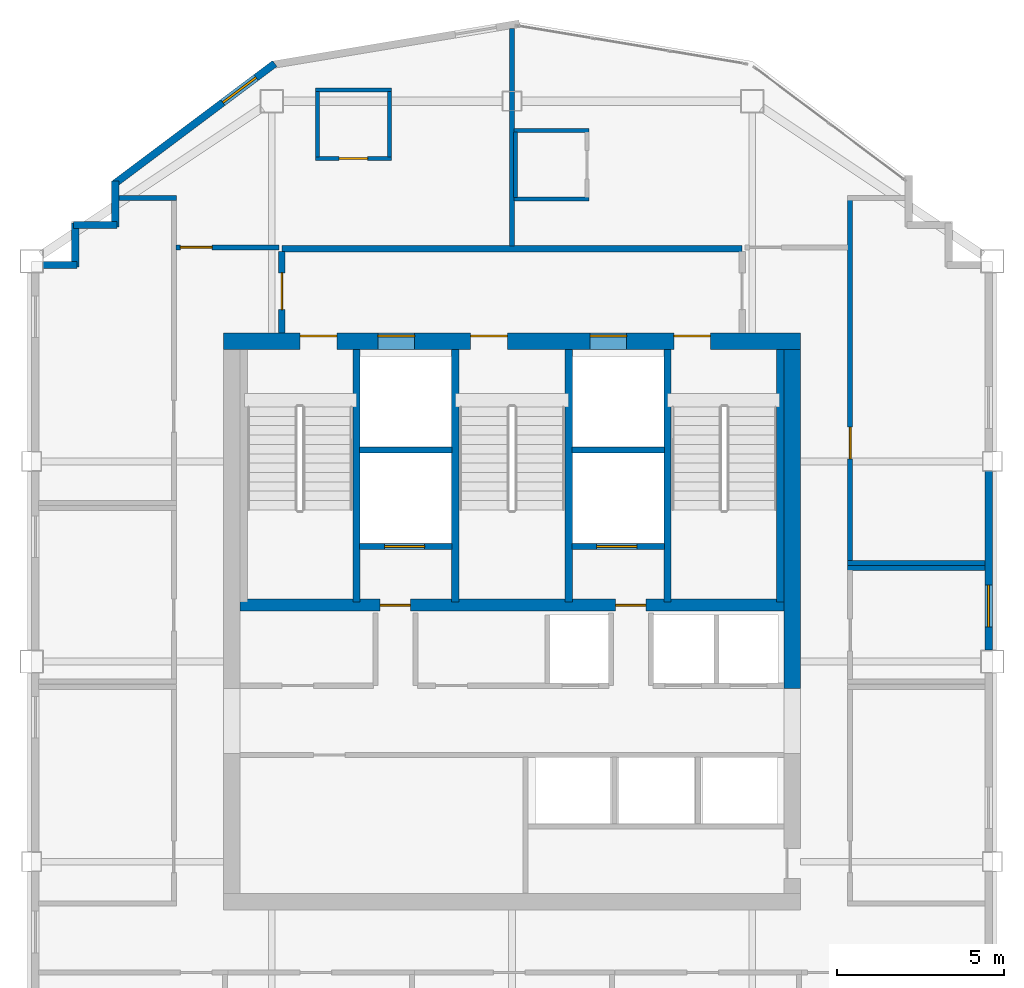
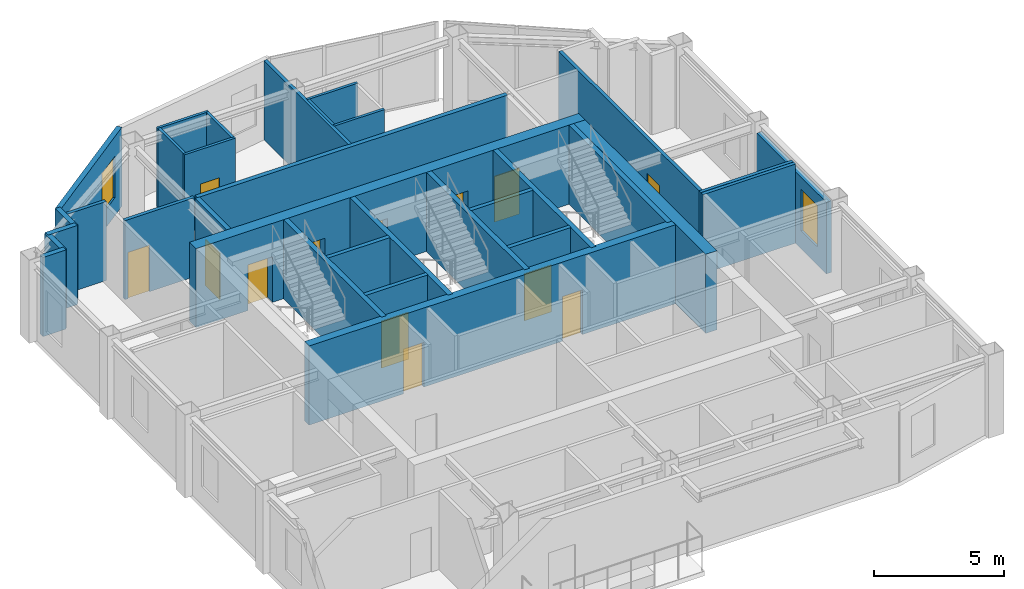
# One storey, part 6 of 8: 33 walls, 13 doors, 2 windows, 15 openings.
"""IFC4 building model written with IfcOpenShell, lengths in metres."""

from ifc_helpers import new_model, si_unit, direction, frame, frame_2d, origin, place, context, subcontext, project, spatial, rectangle, extrude, material, layer, layer_set, type_object, element, fill, save


model = new_model("IFC4")

# Units and contexts
model_context = context("Model", 3, precision=1e-05, world=origin(), true_north=direction((0.0, 1.0)))
body_context = subcontext(model_context, "Body", "Model", "MODEL_VIEW")
ifc_project = project(units=[si_unit("LENGTHUNIT", "METRE"), si_unit("AREAUNIT", "SQUARE_METRE"), si_unit("VOLUMEUNIT", "CUBIC_METRE"), si_unit("PLANEANGLEUNIT", "RADIAN"), si_unit("MASSUNIT", "GRAM", prefix="KILO")], contexts=[model_context])

# Site, building, storey
site_placement = place(None, origin())
site = spatial("IfcSite", under=ifc_project, at=site_placement, CompositionType="ELEMENT")
building_placement = place(site_placement, origin())
building = spatial("IfcBuilding", under=site, at=building_placement, Name="Haolan Belvedere Tower", CompositionType="ELEMENT")
storey_placement = place(building_placement, frame((0.0, 0.0, 301.699951171875)))
storey = spatial("IfcBuildingStorey", under=building, at=storey_placement, Name="L76", CompositionType="ELEMENT", Elevation=301.699951171875)

# Wall, openings, doors
ifc_material_1 = material(Name="Concrete C50/60", Category="concrete")
ifc_layer_1 = layer(ifc_material_1, 0.5, Name="Concrete C50/60")
ifc_layer_set_1 = layer_set([ifc_layer_1], Name="Concrete C50/60")
wall_type_1 = type_object("IfcWallType", Name="WL-CORE-500", PredefinedType="SHEAR", material=ifc_layer_set_1)
wall_1_placement = place(storey_placement, frame((29.75, 43.199951171875, 0.0), z_axis=(0.0, 0.0, 1.0), x_axis=(1.0, 0.0, 0.0)))
wall_1 = element("IfcWall", 1, at=wall_1_placement, inside=storey, type_object=wall_type_1, Name="L76 central core north shear wall", PredefinedType="SHEAR", context=body_context, shape_type="SweptSolid", body=[
    extrude(rectangle(XDim=17.300048828125, YDim=0.5, at=frame_2d((8.64990234375, 0.0))), origin(), (0.0, 0.0, 1.0), 3.719970703125),
])
opening_1_placement = place(wall_1_placement, frame((2.300048828125, 0.0, 0.0)))
opening_1 = element("IfcOpeningElement", 2, at=opening_1_placement, cuts=wall_1, Name="Opening FD-03", PredefinedType="OPENING", context=body_context, shape_type="SweptSolid", body=[
    extrude(rectangle(XDim=1.10009765625, YDim=2.14990234375, at=frame_2d((0.550048828125, 1.074951171875))), frame((0.0, 0.260009765625, 0.0), z_axis=(0.0, -1.0, 0.0), x_axis=(1.0, 0.0, 0.0)), (0.0, 0.0, 1.0), 0.52001953125),
])
opening_2_placement = place(wall_1_placement, frame((7.409912109375, 0.0, 0.0)))
opening_2 = element("IfcOpeningElement", 3, at=opening_2_placement, cuts=wall_1, Name="Opening FD-03", PredefinedType="OPENING", context=body_context, shape_type="SweptSolid", body=[
    extrude(rectangle(XDim=1.10009765625, YDim=2.14990234375, at=frame_2d((0.550048828125, 1.074951171875))), frame((0.0, 0.260009765625, 0.0), z_axis=(0.0, -1.0, 0.0), x_axis=(1.0, 0.0, 0.0)), (0.0, 0.0, 1.0), 0.52001953125),
])
opening_3_placement = place(wall_1_placement, frame((13.5, 0.0, 0.0)))
opening_3 = element("IfcOpeningElement", 4, at=opening_3_placement, cuts=wall_1, Name="Opening FD-03", PredefinedType="OPENING", context=body_context, shape_type="SweptSolid", body=[
    extrude(rectangle(XDim=1.10009765625, YDim=2.14990234375, at=frame_2d((0.550048828125, 1.074951171875))), frame((0.0, 0.260009765625, 0.0), z_axis=(0.0, -1.0, 0.0), x_axis=(1.0, 0.0, 0.0)), (0.0, 0.0, 1.0), 0.52001953125),
])
opening_4_placement = place(wall_1_placement, frame((4.6298828125, 0.0, 0.0)))
opening_4 = element("IfcOpeningElement", 5, at=opening_4_placement, cuts=wall_1, Name="Opening LD-01", PredefinedType="OPENING", context=body_context, shape_type="SweptSolid", body=[
    extrude(rectangle(XDim=1.10009765625, YDim=2.199951171875, at=frame_2d((0.550048828125, 1.10009765625))), frame((0.0, 0.260009765625, 0.0), z_axis=(0.0, -1.0, 0.0), x_axis=(1.0, 0.0, 0.0)), (0.0, 0.0, 1.0), 0.52001953125),
])
opening_5_placement = place(wall_1_placement, frame((10.989990234375, 0.0, 0.0)))
opening_5 = element("IfcOpeningElement", 6, at=opening_5_placement, cuts=wall_1, Name="Opening LD-01", PredefinedType="OPENING", context=body_context, shape_type="SweptSolid", body=[
    extrude(rectangle(XDim=1.10009765625, YDim=2.199951171875, at=frame_2d((0.550048828125, 1.10009765625))), frame((0.0, 0.260009765625, 0.0), z_axis=(0.0, -1.0, 0.0), x_axis=(1.0, 0.0, 0.0)), (0.0, 0.0, 1.0), 0.52001953125),
])
ifc_material_2 = material(Name="Galvanised fire-rated steel", Category="steel")
door_type_1 = type_object("IfcDoorType", Name="DR-FD90-1100", OperationType="NOTDEFINED", PredefinedType="DOOR", material=ifc_material_2)
door_1_placement = place(opening_1_placement, origin())
door_1 = element("IfcDoor", 7, at=door_1_placement, inside=storey, type_object=door_type_1, Name="L76 door CD-L76-ST1", OperationType="SINGLE_SWING_LEFT", OverallHeight=2.14990234375, OverallWidth=1.10009765625, PredefinedType="DOOR", context=body_context, shape_type="SweptSolid", body=[
    extrude(rectangle(XDim=1.10009765625, YDim=2.14990234375, at=frame_2d((0.550048828125, 1.074951171875))), frame((0.0, 0.18505859375, 0.0), z_axis=(0.0, -1.0, 0.0), x_axis=(1.0, 0.0, 0.0)), (0.0, 0.0, 1.0), 0.050048828125),
])
fill(opening_1, door_1)
door_2_placement = place(opening_2_placement, origin())
door_2 = element("IfcDoor", 8, at=door_2_placement, inside=storey, type_object=door_type_1, Name="L76 door CD-L76-ST3", OperationType="SINGLE_SWING_LEFT", OverallHeight=2.14990234375, OverallWidth=1.10009765625, PredefinedType="DOOR", context=body_context, shape_type="SweptSolid", body=[
    extrude(rectangle(XDim=1.10009765625, YDim=2.14990234375, at=frame_2d((0.550048828125, 1.074951171875))), frame((0.0, 0.18505859375, 0.0), z_axis=(0.0, -1.0, 0.0), x_axis=(1.0, 0.0, 0.0)), (0.0, 0.0, 1.0), 0.050048828125),
])
fill(opening_2, door_2)
door_3_placement = place(opening_3_placement, origin())
door_3 = element("IfcDoor", 9, at=door_3_placement, inside=storey, type_object=door_type_1, Name="L76 door CD-L76-ST2", OperationType="SINGLE_SWING_RIGHT", OverallHeight=2.14990234375, OverallWidth=1.10009765625, PredefinedType="DOOR", context=body_context, shape_type="SweptSolid", body=[
    extrude(rectangle(XDim=1.10009765625, YDim=2.14990234375, at=frame_2d((0.550048828125, 1.074951171875))), frame((0.0, 0.18505859375, 0.0), z_axis=(0.0, -1.0, 0.0), x_axis=(1.0, 0.0, 0.0)), (0.0, 0.0, 1.0), 0.050048828125),
])
fill(opening_3, door_3)
ifc_material_3 = material(Name="Brushed champagne stainless steel 316L", Category="steel")
door_type_2 = type_object("IfcDoorType", Name="DR-LIFT-1100", OperationType="SLIDING_TO_LEFT", PredefinedType="DOOR", material=ifc_material_3)
door_4_placement = place(opening_4_placement, origin())
door_4 = element("IfcDoor", 10, at=door_4_placement, inside=storey, type_object=door_type_2, Name="L76 door LD-L76-FF1", OperationType="SLIDING_TO_LEFT", OverallHeight=2.199951171875, OverallWidth=1.10009765625, PredefinedType="DOOR", context=body_context, shape_type="SweptSolid", body=[
    extrude(rectangle(XDim=1.10009765625, YDim=2.199951171875, at=frame_2d((0.550048828125, 1.10009765625))), frame((0.0, 0.18505859375, 0.0), z_axis=(0.0, -1.0, 0.0), x_axis=(1.0, 0.0, 0.0)), (0.0, 0.0, 1.0), 0.050048828125),
])
fill(opening_4, door_4)
door_5_placement = place(opening_5_placement, origin())
door_5 = element("IfcDoor", 11, at=door_5_placement, inside=storey, type_object=door_type_2, Name="L76 door LD-L76-FF2", OperationType="SLIDING_TO_LEFT", OverallHeight=2.199951171875, OverallWidth=1.10009765625, PredefinedType="DOOR", context=body_context, shape_type="SweptSolid", body=[
    extrude(rectangle(XDim=1.10009765625, YDim=2.199951171875, at=frame_2d((0.550048828125, 1.10009765625))), frame((0.0, 0.18505859375, 0.0), z_axis=(0.0, -1.0, 0.0), x_axis=(1.0, 0.0, 0.0)), (0.0, 0.0, 1.0), 0.050048828125),
])
fill(opening_5, door_5)

# Wall
wall_2_placement = place(storey_placement, frame((46.800048828125, 32.800048828125, 0.0), z_axis=(0.0, 0.0, 1.0), x_axis=(0.0, 1.0, 0.0)))
element("IfcWall", 12, at=wall_2_placement, inside=storey, type_object=wall_type_1, Name="L76 central core shear wall EN", PredefinedType="SHEAR", context=body_context, shape_type="SweptSolid", body=[
    extrude(rectangle(XDim=10.14990234375, YDim=0.5, at=frame_2d((5.074951171875, 0.0))), origin(), (0.0, 0.0, 1.0), 3.719970703125),
])

# Wall, opening, window
ifc_material_4 = material(Name="Precast concrete C40/50", Category="concrete")
ifc_layer_2 = layer(ifc_material_4, 0.219970703125, Name="Precast concrete C40/50")
ifc_layer_set_2 = layer_set([ifc_layer_2], Name="Precast concrete C40/50")
wall_type_2 = type_object("IfcWallType", Name="WL-EXT-220", PredefinedType="SOLIDWALL", material=ifc_layer_set_2)
wall_3_placement = place(storey_placement, frame((52.68994140625, 33.94189453125, 0.0), z_axis=(0.0, 0.0, 1.0), x_axis=(0.0, 1.0, 0.0)))
wall_3 = element("IfcWall", 13, at=wall_3_placement, inside=storey, type_object=wall_type_2, Name="L76 pale-metal exterior spandrel wall 3.3", PredefinedType="SOLIDWALL", context=body_context, shape_type="SweptSolid", body=[
    extrude(rectangle(XDim=5.3662109375, YDim=0.219970703125, at=frame_2d((2.68310546875, 0.0))), origin(), (0.0, 0.0, 1.0), 3.364990234375),
])
opening_6_placement = place(wall_3_placement, frame((0.699951171875, 0.0, 0.85009765625)))
opening_6 = element("IfcOpeningElement", 14, at=opening_6_placement, cuts=wall_3, Name="Opening W-04", PredefinedType="OPENING", context=body_context, shape_type="SweptSolid", body=[
    extrude(rectangle(XDim=1.25, YDim=1.949951171875, at=frame_2d((0.625, 0.97509765625))), frame((0.0, 0.119873046875, 0.0), z_axis=(0.0, -1.0, 0.0), x_axis=(1.0, 0.0, 0.0)), (0.0, 0.0, 1.0), 0.239990234375),
])
ifc_material_5 = material(Name="Anodised aluminium 6063-T6 and Low-E glass", Category="aluminium")
window_type = type_object("IfcWindowType", Name="WN-DECO-Z4", PartitioningType="SINGLE_PANEL", PredefinedType="WINDOW", material=ifc_material_5)
window_1_placement = place(opening_6_placement, origin())
window_1 = element("IfcWindow", 15, at=window_1_placement, inside=storey, type_object=window_type, Name="L76 Art Deco chevron window 1", OverallHeight=1.949951171875, OverallWidth=1.25, PartitioningType="SINGLE_PANEL", PredefinedType="WINDOW", context=body_context, shape_type="SweptSolid", body=[
    extrude(rectangle(XDim=1.25, YDim=1.949951171875, at=frame_2d((0.625, 0.97509765625))), frame((0.0, 0.030029296875, 0.0), z_axis=(0.0, -1.0, 0.0), x_axis=(1.0, 0.0, 0.0)), (0.0, 0.0, 1.0), 0.06005859375),
])
fill(opening_6, window_1)

wall_4_placement = place(storey_placement, frame((31.28857421875, 51.52880859375, 0.0), z_axis=(0.0, 0.0, 1.0), x_axis=(-0.800014580093, -0.599980559383, 0.0)))
wall_4 = element("IfcWall", 16, at=wall_4_placement, inside=storey, type_object=wall_type_2, Name="L76 pale-metal exterior spandrel wall 11.1", PredefinedType="SOLIDWALL", context=body_context, shape_type="SweptSolid", body=[
    extrude(rectangle(XDim=6.028076171875, YDim=0.219970703125, at=frame_2d((3.01416015625, 0.0))), origin(), (0.0, 0.0, 1.0), 3.719970703125),
])
opening_7_placement = place(wall_4_placement, frame((0.699951171875, 0.0, 0.85009765625)))
opening_7 = element("IfcOpeningElement", 17, at=opening_7_placement, cuts=wall_4, Name="Opening W-04", PredefinedType="OPENING", context=body_context, shape_type="SweptSolid", body=[
    extrude(rectangle(XDim=1.25, YDim=1.949951171875, at=frame_2d((0.625, 0.97509765625))), frame((0.0, 0.119873046875, 0.0), z_axis=(0.0, -1.0, 0.0), x_axis=(1.0, 0.0, 0.0)), (0.0, 0.0, 1.0), 0.239990234375),
])
window_2_placement = place(opening_7_placement, origin())
window_2 = element("IfcWindow", 18, at=window_2_placement, inside=storey, type_object=window_type, Name="L76 Art Deco chevron window 1", OverallHeight=1.949951171875, OverallWidth=1.25, PartitioningType="SINGLE_PANEL", PredefinedType="WINDOW", context=body_context, shape_type="SweptSolid", body=[
    extrude(rectangle(XDim=1.25, YDim=1.949951171875, at=frame_2d((0.625, 0.97509765625))), frame((0.0, 0.030029296875, 0.0), z_axis=(0.0, -1.0, 0.0), x_axis=(1.0, 0.0, 0.0)), (0.0, 0.0, 1.0), 0.06005859375),
])
fill(opening_7, window_2)

# Walls
wall_5_placement = place(storey_placement, frame((26.510009765625, 48.0, 0.0), z_axis=(0.0, 0.0, 1.0), x_axis=(0.0, -1.0, 0.0)))
element("IfcWall", 19, at=wall_5_placement, inside=storey, type_object=wall_type_2, Name="L76 pale-metal exterior spandrel wall 12.1", PredefinedType="SOLIDWALL", context=body_context, shape_type="SweptSolid", body=[
    extrude(rectangle(XDim=1.364990234375, YDim=0.219970703125, at=frame_2d((0.6826171875, 0.0))), origin(), (0.0, 0.0, 1.0), 3.719970703125),
])
for number, where, z_axis, x_axis, name in (
    (20, (26.56494140625, 46.68994140625, 0.0), (0.0, 0.0, 1.0), (-1.0, 0.0, 0.0), "L76 pale-metal exterior spandrel wall 13.1"),
    (21, (25.31005859375, 46.7451171875, 0.0), (0.0, 0.0, 1.0), (0.0, -1.0, 0.0), "L76 pale-metal exterior spandrel wall 14.1"),
):
    element("IfcWall", number, at=place(storey_placement, frame(where, z_axis=z_axis, x_axis=x_axis)), inside=storey, type_object=wall_type_2, Name=name, PredefinedType="SOLIDWALL", context=body_context, shape_type="SweptSolid", body=[
        extrude(rectangle(XDim=1.31005859375, YDim=0.219970703125, at=frame_2d((0.655029296875, 0.0))), origin(), (0.0, 0.0, 1.0), 3.719970703125),
    ])
wall_6_placement = place(storey_placement, frame((25.364990234375, 45.489990234375, 0.0), z_axis=(0.0, 0.0, 1.0), x_axis=(-1.0, 0.0, 0.0)))
element("IfcWall", 22, at=wall_6_placement, inside=storey, type_object=wall_type_2, Name="L76 pale-metal exterior spandrel wall 15.1", PredefinedType="SOLIDWALL", context=body_context, shape_type="SweptSolid", body=[
    extrude(rectangle(XDim=1.02294921875, YDim=0.219970703125, at=frame_2d((0.511474609375, 0.0))), origin(), (0.0, 0.0, 1.0), 3.719970703125),
])
ifc_material_6 = material(Name="Concrete C40/50", Category="concrete")
ifc_layer_3 = layer(ifc_material_6, 0.199951171875, Name="Concrete C40/50")
ifc_layer_set_3 = layer_set([ifc_layer_3], Name="Concrete C40/50")
wall_type_3 = type_object("IfcWallType", Name="WL-FIRE-200", PredefinedType="SOLIDWALL", material=ifc_layer_set_3)
wall_7_placement = place(storey_placement, frame((31.5, 45.97998046875, 0.0), z_axis=(0.0, 0.0, 1.0), x_axis=(1.0, 0.0, 0.0)))
element("IfcWall", 23, at=wall_7_placement, inside=storey, type_object=wall_type_3, Name="L76 interior partition IW-L76-FFL-N", PredefinedType="SOLIDWALL", context=body_context, shape_type="SweptSolid", body=[
    extrude(rectangle(XDim=13.800048828125, YDim=0.199951171875, at=frame_2d((6.89990234375, 0.0))), origin(), (0.0, 0.0, 1.0), 3.719970703125),
])

# Wall, opening, door
wall_8_placement = place(storey_placement, frame((31.5, 43.449951171875, 0.0), z_axis=(0.0, 0.0, 1.0), x_axis=(0.0, 1.0, 0.0)))
wall_8 = element("IfcWall", 24, at=wall_8_placement, inside=storey, type_object=wall_type_3, Name="L76 interior partition IW-L76-FFL-W", PredefinedType="SOLIDWALL", context=body_context, shape_type="SweptSolid", body=[
    extrude(rectangle(XDim=2.445068359375, YDim=0.199951171875, at=frame_2d((1.22265625, 0.0))), origin(), (0.0, 0.0, 1.0), 3.719970703125),
])
opening_8_placement = place(wall_8_placement, frame((1.800048828125, 0.0, 0.0), z_axis=(0.0, 0.0, 1.0), x_axis=(-1.0, 0.0, 0.0)))
opening_8 = element("IfcOpeningElement", 25, at=opening_8_placement, cuts=wall_8, Name="Opening FD-03", PredefinedType="OPENING", context=body_context, shape_type="SweptSolid", body=[
    extrude(rectangle(XDim=1.10009765625, YDim=2.14990234375, at=frame_2d((0.550048828125, 1.074951171875))), frame((0.0, 0.10986328125, 0.0), z_axis=(0.0, -1.0, 0.0), x_axis=(1.0, 0.0, 0.0)), (0.0, 0.0, 1.0), 0.219970703125),
])
door_6_placement = place(opening_8_placement, origin())
door_6 = element("IfcDoor", 26, at=door_6_placement, inside=storey, type_object=door_type_1, Name="L76 door ID-L76-FFL-DW", OperationType="SINGLE_SWING_LEFT", OverallHeight=2.14990234375, OverallWidth=1.10009765625, PredefinedType="DOOR", context=body_context, shape_type="SweptSolid", body=[
    extrude(rectangle(XDim=1.10009765625, YDim=2.14990234375, at=frame_2d((0.550048828125, 1.074951171875))), frame((0.0, 0.02490234375, 0.0), z_axis=(0.0, -1.0, 0.0), x_axis=(1.0, 0.0, 0.0)), (0.0, 0.0, 1.0), 0.050048828125),
])
fill(opening_8, door_6)

# Walls
ifc_material_7 = material(Name="Double gypsum acoustic stud partition", Category="masonry")
ifc_layer_4 = layer(ifc_material_7, 0.14990234375, Name="Double gypsum acoustic stud partition")
ifc_layer_set_4 = layer_set([ifc_layer_4], Name="Double gypsum acoustic stud partition")
wall_type_4 = type_object("IfcWallType", Name="WL-PART-150", PredefinedType="PARTITIONING", material=ifc_layer_set_4)
wall_9_placement = place(storey_placement, frame((26.612060546875, 47.5, 0.0), z_axis=(0.0, 0.0, 1.0), x_axis=(1.0, 0.0, 0.0)))
element("IfcWall", 27, at=wall_9_placement, inside=storey, type_object=wall_type_4, Name="L76 interior partition IW-L76-VLT-N", PredefinedType="PARTITIONING", context=body_context, shape_type="SweptSolid", body=[
    extrude(rectangle(XDim=1.72802734375, YDim=0.14990234375, at=frame_2d((0.864013671875, 0.0))), origin(), (0.0, 0.0, 1.0), 3.719970703125),
])
for number, where, z_axis, x_axis, name in (
    (28, (48.4599609375, 36.39990234375, 0.0), (0.0, 0.0, 1.0), (1.0, 0.0, 0.0), "L76 interior partition IW-L76-AWC-N"),
    (29, (48.4599609375, 36.56005859375, 0.0), (0.0, 0.0, 1.0), (1.0, 0.0, 0.0), "L76 interior partition IW-L76-SAL-S"),
):
    element("IfcWall", number, at=place(storey_placement, frame(where, z_axis=z_axis, x_axis=x_axis)), inside=storey, type_object=wall_type_4, Name=name, PredefinedType="PARTITIONING", context=body_context, shape_type="SweptSolid", body=[
        extrude(rectangle(XDim=4.1279296875, YDim=0.14990234375, at=frame_2d((2.06396484375, 0.0))), origin(), (0.0, 0.0, 1.0), 3.719970703125),
    ])

# Wall, opening, door
wall_10_placement = place(storey_placement, frame((48.5400390625, 36.6201171875, 0.0), z_axis=(0.0, 0.0, 1.0), x_axis=(0.0, 1.0, 0.0)))
wall_10 = element("IfcWall", 30, at=wall_10_placement, inside=storey, type_object=wall_type_4, Name="L76 interior partition IW-L76-SAL-W", PredefinedType="PARTITIONING", context=body_context, shape_type="SweptSolid", body=[
    extrude(rectangle(XDim=10.81982421875, YDim=0.14990234375, at=frame_2d((5.409912109375, 0.0))), origin(), (0.0, 0.0, 1.0), 3.719970703125),
])
opening_9_placement = place(wall_10_placement, frame((3.06005859375, 0.0, 0.0)))
opening_9 = element("IfcOpeningElement", 31, at=opening_9_placement, cuts=wall_10, Name="Opening ID-03", PredefinedType="OPENING", context=body_context, shape_type="SweptSolid", body=[
    extrude(rectangle(XDim=0.949951171875, YDim=2.1201171875, at=frame_2d((0.47509765625, 1.06005859375))), frame((0.0, 0.0849609375, 0.0), z_axis=(0.0, -1.0, 0.0), x_axis=(1.0, 0.0, 0.0)), (0.0, 0.0, 1.0), 0.169921875),
])
ifc_material_8 = material(Name="Painted solid-core timber", Category="wood")
door_type_3 = type_object("IfcDoorType", Name="DR-INT-950", OperationType="NOTDEFINED", PredefinedType="DOOR", material=ifc_material_8)
door_7_placement = place(opening_9_placement, origin())
door_7 = element("IfcDoor", 32, at=door_7_placement, inside=storey, type_object=door_type_3, Name="L76 door ID-L76-SAL", OperationType="SINGLE_SWING_LEFT", OverallHeight=2.1201171875, OverallWidth=0.949951171875, PredefinedType="DOOR", context=body_context, shape_type="SweptSolid", body=[
    extrude(rectangle(XDim=0.949951171875, YDim=2.1201171875, at=frame_2d((0.47509765625, 1.06005859375))), frame((0.0, 0.02490234375, 0.0), z_axis=(0.0, -1.0, 0.0), x_axis=(1.0, 0.0, 0.0)), (0.0, 0.0, 1.0), 0.050048828125),
])
fill(opening_9, door_7)

wall_11_placement = place(storey_placement, frame((28.320068359375, 46.02001953125, 0.0), z_axis=(0.0, 0.0, 1.0), x_axis=(1.0, 0.0, 0.0)))
wall_11 = element("IfcWall", 33, at=wall_11_placement, inside=storey, type_object=wall_type_4, Name="L76 interior partition IW-L76-KN1-S", PredefinedType="PARTITIONING", context=body_context, shape_type="SweptSolid", body=[
    extrude(rectangle(XDim=3.094970703125, YDim=0.14990234375, at=frame_2d((1.54736328125, 0.0))), origin(), (0.0, 0.0, 1.0), 3.719970703125),
])
opening_10_placement = place(wall_11_placement, frame((0.139892578125, 0.0, 0.0)))
opening_10 = element("IfcOpeningElement", 34, at=opening_10_placement, cuts=wall_11, Name="Opening ID-01", PredefinedType="OPENING", context=body_context, shape_type="SweptSolid", body=[
    extrude(rectangle(XDim=0.949951171875, YDim=2.179931640625, at=frame_2d((0.47509765625, 1.08984375))), frame((0.0, 0.0849609375, 0.0), z_axis=(0.0, -1.0, 0.0), x_axis=(1.0, 0.0, 0.0)), (0.0, 0.0, 1.0), 0.169921875),
])
ifc_material_9 = material(Name="Acoustic walnut veneer fire-rated timber", Category="wood")
door_type_4 = type_object("IfcDoorType", Name="DR-SUITE-950", OperationType="NOTDEFINED", PredefinedType="DOOR", material=ifc_material_9)
door_8_placement = place(opening_10_placement, origin())
door_8 = element("IfcDoor", 35, at=door_8_placement, inside=storey, type_object=door_type_4, Name="L76 door ID-L76-KN1-ENT", OperationType="SINGLE_SWING_LEFT", OverallHeight=2.179931640625, OverallWidth=0.949951171875, PredefinedType="DOOR", context=body_context, shape_type="SweptSolid", body=[
    extrude(rectangle(XDim=0.949951171875, YDim=2.179931640625, at=frame_2d((0.47509765625, 1.08984375))), frame((0.0, 0.02490234375, 0.0), z_axis=(0.0, -1.0, 0.0), x_axis=(1.0, 0.0, 0.0)), (0.0, 0.0, 1.0), 0.050048828125),
])
fill(opening_10, door_8)

# Walls
wall_12_placement = place(storey_placement, frame((38.39990234375, 46.06494140625, 0.0), z_axis=(0.0, 0.0, 1.0), x_axis=(0.0, 1.0, 0.0)))
element("IfcWall", 36, at=wall_12_placement, inside=storey, type_object=wall_type_4, Name="L76 interior partition IW-L76-KN1-E", PredefinedType="PARTITIONING", context=body_context, shape_type="SweptSolid", body=[
    extrude(rectangle(XDim=6.520263671875, YDim=0.14990234375, at=frame_2d((3.26025390625, 0.0))), origin(), (0.0, 0.0, 1.0), 3.719970703125),
])
ifc_layer_5 = layer(ifc_material_4, 0.179931640625, Name="Precast concrete C40/50")
ifc_layer_set_5 = layer_set([ifc_layer_5], Name="Precast concrete C40/50")
wall_type_5 = type_object("IfcWallType", Name="WL-SHAFT-180", PredefinedType="SOLIDWALL", material=ifc_layer_set_5)
for number, where, z_axis, x_axis, name in (
    (37, (33.8349609375, 39.949951171875, 0.0), (0.0, 0.0, 1.0), (1.0, 0.0, 0.0), "L76 interior partition IW-L76-FF1-S"),
    (38, (40.195068359375, 39.949951171875, 0.0), (0.0, 0.0, 1.0), (1.0, 0.0, 0.0), "L76 interior partition IW-L76-FF2-S"),
):
    element("IfcWall", number, at=place(storey_placement, frame(where, z_axis=z_axis, x_axis=x_axis)), inside=storey, type_object=wall_type_5, Name=name, PredefinedType="SOLIDWALL", context=body_context, shape_type="SweptSolid", body=[
        extrude(rectangle(XDim=2.77001953125, YDim=0.179931640625, at=frame_2d((1.385009765625, 0.0))), origin(), (0.0, 0.0, 1.0), 3.719970703125),
    ])

# Wall, opening, door
wall_13_placement = place(storey_placement, frame((33.8349609375, 37.050048828125, 0.0), z_axis=(0.0, 0.0, 1.0), x_axis=(1.0, 0.0, 0.0)))
wall_13 = element("IfcWall", 39, at=wall_13_placement, inside=storey, type_object=wall_type_5, Name="L76 interior partition IW-L76-SV1-S", PredefinedType="SOLIDWALL", context=body_context, shape_type="SweptSolid", body=[
    extrude(rectangle(XDim=2.77001953125, YDim=0.179931640625, at=frame_2d((1.385009765625, 0.0))), origin(), (0.0, 0.0, 1.0), 3.719970703125),
])
opening_11_placement = place(wall_13_placement, frame((1.945068359375, 0.0, 0.0), z_axis=(0.0, 0.0, 1.0), x_axis=(-1.0, 0.0, 0.0)))
opening_11 = element("IfcOpeningElement", 40, at=opening_11_placement, cuts=wall_13, Name="Opening LD-02", PredefinedType="OPENING", context=body_context, shape_type="SweptSolid", body=[
    extrude(rectangle(XDim=1.199951171875, YDim=2.199951171875, at=frame_2d((0.60009765625, 1.10009765625))), frame((0.0, 0.099853515625, 0.0), z_axis=(0.0, -1.0, 0.0), x_axis=(1.0, 0.0, 0.0)), (0.0, 0.0, 1.0), 0.199951171875),
])
door_type_5 = type_object("IfcDoorType", Name="DR-LIFT-1200", OperationType="SLIDING_TO_RIGHT", PredefinedType="DOOR", material=ifc_material_3)
door_9_placement = place(opening_11_placement, origin())
door_9 = element("IfcDoor", 41, at=door_9_placement, inside=storey, type_object=door_type_5, Name="L76 door ID-L76-LD-SV1", OperationType="SLIDING_TO_RIGHT", OverallHeight=2.199951171875, OverallWidth=1.199951171875, PredefinedType="DOOR", context=body_context, shape_type="SweptSolid", body=[
    extrude(rectangle(XDim=1.199951171875, YDim=2.199951171875, at=frame_2d((0.60009765625, 1.10009765625))), frame((0.0, 0.02490234375, 0.0), z_axis=(0.0, -1.0, 0.0), x_axis=(1.0, 0.0, 0.0)), (0.0, 0.0, 1.0), 0.050048828125),
])
fill(opening_11, door_9)

wall_14_placement = place(storey_placement, frame((40.195068359375, 37.050048828125, 0.0), z_axis=(0.0, 0.0, 1.0), x_axis=(1.0, 0.0, 0.0)))
wall_14 = element("IfcWall", 42, at=wall_14_placement, inside=storey, type_object=wall_type_5, Name="L76 interior partition IW-L76-SV2-S", PredefinedType="SOLIDWALL", context=body_context, shape_type="SweptSolid", body=[
    extrude(rectangle(XDim=2.77001953125, YDim=0.179931640625, at=frame_2d((1.385009765625, 0.0))), origin(), (0.0, 0.0, 1.0), 3.719970703125),
])
opening_12_placement = place(wall_14_placement, frame((1.945068359375, 0.0, 0.0), z_axis=(0.0, 0.0, 1.0), x_axis=(-1.0, 0.0, 0.0)))
opening_12 = element("IfcOpeningElement", 43, at=opening_12_placement, cuts=wall_14, Name="Opening LD-02", PredefinedType="OPENING", context=body_context, shape_type="SweptSolid", body=[
    extrude(rectangle(XDim=1.199951171875, YDim=2.199951171875, at=frame_2d((0.60009765625, 1.10009765625))), frame((0.0, 0.099853515625, 0.0), z_axis=(0.0, -1.0, 0.0), x_axis=(1.0, 0.0, 0.0)), (0.0, 0.0, 1.0), 0.199951171875),
])
door_10_placement = place(opening_12_placement, origin())
door_10 = element("IfcDoor", 44, at=door_10_placement, inside=storey, type_object=door_type_5, Name="L76 door ID-L76-LD-SV2", OperationType="SLIDING_TO_RIGHT", OverallHeight=2.199951171875, OverallWidth=1.199951171875, PredefinedType="DOOR", context=body_context, shape_type="SweptSolid", body=[
    extrude(rectangle(XDim=1.199951171875, YDim=2.199951171875, at=frame_2d((0.60009765625, 1.10009765625))), frame((0.0, 0.02490234375, 0.0), z_axis=(0.0, -1.0, 0.0), x_axis=(1.0, 0.0, 0.0)), (0.0, 0.0, 1.0), 0.050048828125),
])
fill(opening_12, door_10)

# Walls
ifc_layer_6 = layer(ifc_material_1, 0.219970703125, Name="Concrete C50/60")
ifc_layer_set_6 = layer_set([ifc_layer_6], Name="Concrete C50/60")
wall_type_6 = type_object("IfcWallType", Name="WL-STAIR-220", PredefinedType="SHEAR", material=ifc_layer_set_6)
for number, where, z_axis, x_axis, name in (
    (45, (33.739990234375, 35.389892578125, 0.0), (0.0, 0.0, 1.0), (0.0, 1.0, 0.0), "L76 structural stair core wall ST1E"),
    (46, (36.699951171875, 35.389892578125, 0.0), (0.0, 0.0, 1.0), (0.0, 1.0, 0.0), "L76 structural stair core wall ST3W"),
    (47, (40.10009765625, 35.389892578125, 0.0), (0.0, 0.0, 1.0), (0.0, 1.0, 0.0), "L76 structural stair core wall ST3E"),
    (48, (43.06005859375, 35.389892578125, 0.0), (0.0, 0.0, 1.0), (0.0, 1.0, 0.0), "L76 structural stair core wall ST2W"),
    (49, (46.43798828125, 35.389892578125, 0.0), (0.0, 0.0, 1.0), (0.0, 1.0, 0.0), "L76 structural stair core wall ST2E"),
):
    element("IfcWall", number, at=place(storey_placement, frame(where, z_axis=z_axis, x_axis=x_axis)), inside=storey, type_object=wall_type_6, Name=name, PredefinedType="SHEAR", context=body_context, shape_type="SweptSolid", body=[
        extrude(rectangle(XDim=7.56005859375, YDim=0.219970703125, at=frame_2d((3.780029296875, 0.0))), origin(), (0.0, 0.0, 1.0), 3.719970703125),
    ])

# Wall, openings, doors
ifc_material_10 = material(Name="Concrete C60/75", Category="concrete")
ifc_layer_7 = layer(ifc_material_10, 0.360107421875, Name="Concrete C60/75")
ifc_layer_set_7 = layer_set([ifc_layer_7], Name="Concrete C60/75")
wall_type_7 = type_object("IfcWallType", Name="WL-WEB-350", PredefinedType="SHEAR", material=ifc_layer_set_7)
wall_15_placement = place(storey_placement, frame((30.25, 35.2900390625, 0.0), z_axis=(0.0, 0.0, 1.0), x_axis=(1.0, 0.0, 0.0)))
wall_15 = element("IfcWall", 50, at=wall_15_placement, inside=storey, type_object=wall_type_7, Name="L76 central core internal shear web", PredefinedType="SHEAR", context=body_context, shape_type="SweptSolid", body=[
    extrude(rectangle(XDim=16.300048828125, YDim=0.360107421875, at=frame_2d((8.14990234375, 0.0))), origin(), (0.0, 0.0, 1.0), 3.719970703125),
])
opening_13_placement = place(wall_15_placement, frame((5.099853515625, 0.0, 0.0), z_axis=(0.0, 0.0, 1.0), x_axis=(-1.0, 0.0, 0.0)))
opening_13 = element("IfcOpeningElement", 51, at=opening_13_placement, cuts=wall_15, Name="Opening FD-05", PredefinedType="OPENING", context=body_context, shape_type="SweptSolid", body=[
    extrude(rectangle(XDim=0.89990234375, YDim=2.10009765625, at=frame_2d((0.449951171875, 1.050048828125))), frame((0.0, 0.18994140625, 0.0), z_axis=(0.0, -1.0, 0.0), x_axis=(1.0, 0.0, 0.0)), (0.0, 0.0, 1.0), 0.380126953125),
])
opening_14_placement = place(wall_15_placement, frame((12.159912109375, 0.0, 0.0), z_axis=(0.0, 0.0, 1.0), x_axis=(-1.0, 0.0, 0.0)))
opening_14 = element("IfcOpeningElement", 52, at=opening_14_placement, cuts=wall_15, Name="Opening FD-05", PredefinedType="OPENING", context=body_context, shape_type="SweptSolid", body=[
    extrude(rectangle(XDim=0.89990234375, YDim=2.10009765625, at=frame_2d((0.449951171875, 1.050048828125))), frame((0.0, 0.18994140625, 0.0), z_axis=(0.0, -1.0, 0.0), x_axis=(1.0, 0.0, 0.0)), (0.0, 0.0, 1.0), 0.380126953125),
])
door_type_6 = type_object("IfcDoorType", Name="DR-FD60-900", OperationType="NOTDEFINED", PredefinedType="DOOR", material=ifc_material_2)
door_11_placement = place(opening_13_placement, origin())
door_11 = element("IfcDoor", 53, at=door_11_placement, inside=storey, type_object=door_type_6, Name="L76 door CD-L76-SVL-SV1", OperationType="SINGLE_SWING_RIGHT", OverallHeight=2.10009765625, OverallWidth=0.89990234375, PredefinedType="DOOR", context=body_context, shape_type="SweptSolid", body=[
    extrude(rectangle(XDim=0.89990234375, YDim=2.10009765625, at=frame_2d((0.449951171875, 1.050048828125))), frame((0.0, 0.02490234375, 0.0), z_axis=(0.0, -1.0, 0.0), x_axis=(1.0, 0.0, 0.0)), (0.0, 0.0, 1.0), 0.050048828125),
])
fill(opening_13, door_11)
door_12_placement = place(opening_14_placement, origin())
door_12 = element("IfcDoor", 54, at=door_12_placement, inside=storey, type_object=door_type_6, Name="L76 door CD-L76-SVL-SV2", OperationType="SINGLE_SWING_RIGHT", OverallHeight=2.10009765625, OverallWidth=0.89990234375, PredefinedType="DOOR", context=body_context, shape_type="SweptSolid", body=[
    extrude(rectangle(XDim=0.89990234375, YDim=2.10009765625, at=frame_2d((0.449951171875, 1.050048828125))), frame((0.0, 0.02490234375, 0.0), z_axis=(0.0, -1.0, 0.0), x_axis=(1.0, 0.0, 0.0)), (0.0, 0.0, 1.0), 0.050048828125),
])
fill(opening_14, door_12)

# Wall
ifc_material_11 = material(Name="Moisture-resistant gypsum tile partition", Category="masonry")
ifc_layer_8 = layer(ifc_material_11, 0.1201171875, Name="Moisture-resistant gypsum tile partition")
ifc_layer_set_8 = layer_set([ifc_layer_8], Name="Moisture-resistant gypsum tile partition")
wall_type_8 = type_object("IfcWallType", Name="WL-WET-120", PredefinedType="PARTITIONING", material=ifc_layer_set_8)
wall_16_placement = place(storey_placement, frame((32.510986328125, 50.73095703125, 0.0), z_axis=(0.0, 0.0, 1.0), x_axis=(1.0, 0.0, 0.0)))
element("IfcWall", 55, at=wall_16_placement, inside=storey, type_object=wall_type_8, Name="L76 interior partition IW-L76-KN1-BN", PredefinedType="PARTITIONING", context=body_context, shape_type="SweptSolid", body=[
    extrude(rectangle(XDim=2.27001953125, YDim=0.1201171875, at=frame_2d((1.135009765625, 0.0))), origin(), (0.0, 0.0, 1.0), 3.719970703125),
])

# Wall, opening, door
wall_17_placement = place(storey_placement, frame((32.510986328125, 48.680908203125, 0.0), z_axis=(0.0, 0.0, 1.0), x_axis=(1.0, 0.0, 0.0)))
wall_17 = element("IfcWall", 56, at=wall_17_placement, inside=storey, type_object=wall_type_8, Name="L76 interior partition IW-L76-KN1-BS", PredefinedType="PARTITIONING", context=body_context, shape_type="SweptSolid", body=[
    extrude(rectangle(XDim=2.27001953125, YDim=0.1201171875, at=frame_2d((1.135009765625, 0.0))), origin(), (0.0, 0.0, 1.0), 3.719970703125),
])
opening_15_placement = place(wall_17_placement, frame((0.7099609375, 0.0, 0.0)))
opening_15 = element("IfcOpeningElement", 57, at=opening_15_placement, cuts=wall_17, Name="Opening ID-05", PredefinedType="OPENING", context=body_context, shape_type="SweptSolid", body=[
    extrude(rectangle(XDim=0.85009765625, YDim=2.10009765625, at=frame_2d((0.425048828125, 1.050048828125))), frame((0.0, 0.070068359375, 0.0), z_axis=(0.0, -1.0, 0.0), x_axis=(1.0, 0.0, 0.0)), (0.0, 0.0, 1.0), 0.14013671875),
])
ifc_material_12 = material(Name="Moisture-resistant lacquered timber", Category="wood")
door_type_7 = type_object("IfcDoorType", Name="DR-BATH-850", OperationType="NOTDEFINED", PredefinedType="DOOR", material=ifc_material_12)
door_13_placement = place(opening_15_placement, origin())
door_13 = element("IfcDoor", 58, at=door_13_placement, inside=storey, type_object=door_type_7, Name="L76 door ID-L76-KN1-BATH", OperationType="SINGLE_SWING_RIGHT", OverallHeight=2.10009765625, OverallWidth=0.85009765625, PredefinedType="DOOR", context=body_context, shape_type="SweptSolid", body=[
    extrude(rectangle(XDim=0.85009765625, YDim=2.10009765625, at=frame_2d((0.425048828125, 1.050048828125))), frame((0.0, 0.02490234375, 0.0), z_axis=(0.0, -1.0, 0.0), x_axis=(1.0, 0.0, 0.0)), (0.0, 0.0, 1.0), 0.050048828125),
])
fill(opening_15, door_13)

# Walls
for number, where, z_axis, x_axis, name in (
    (59, (32.571044921875, 48.72607421875, 0.0), (0.0, 0.0, 1.0), (0.0, 1.0, 0.0), "L76 interior partition IW-L76-KN1-BW"),
    (60, (34.720947265625, 48.72607421875, 0.0), (0.0, 0.0, 1.0), (0.0, 1.0, 0.0), "L76 interior partition IW-L76-KN1-BE"),
):
    element("IfcWall", number, at=place(storey_placement, frame(where, z_axis=z_axis, x_axis=x_axis)), inside=storey, type_object=wall_type_8, Name=name, PredefinedType="PARTITIONING", context=body_context, shape_type="SweptSolid", body=[
        extrude(rectangle(XDim=1.9599609375, YDim=0.1201171875, at=frame_2d((0.97998046875, 0.0))), origin(), (0.0, 0.0, 1.0), 3.719970703125),
    ])
for number, where, z_axis, x_axis, name in (
    (61, (38.4599609375, 49.52001953125, 0.0), (0.0, 0.0, 1.0), (1.0, 0.0, 0.0), "L76 interior partition IW-L76-KN2-BN"),
    (62, (38.4599609375, 47.469970703125, 0.0), (0.0, 0.0, 1.0), (1.0, 0.0, 0.0), "L76 interior partition IW-L76-KN2-BS"),
):
    element("IfcWall", number, at=place(storey_placement, frame(where, z_axis=z_axis, x_axis=x_axis)), inside=storey, type_object=wall_type_8, Name=name, PredefinedType="PARTITIONING", context=body_context, shape_type="SweptSolid", body=[
        extrude(rectangle(XDim=2.25, YDim=0.1201171875, at=frame_2d((1.125, 0.0))), origin(), (0.0, 0.0, 1.0), 3.719970703125),
    ])
wall_18_placement = place(storey_placement, frame((38.5, 47.514892578125, 0.0), z_axis=(0.0, 0.0, 1.0), x_axis=(0.0, 1.0, 0.0)))
element("IfcWall", 63, at=wall_18_placement, inside=storey, type_object=wall_type_8, Name="L76 interior partition IW-L76-KN2-BW", PredefinedType="PARTITIONING", context=body_context, shape_type="SweptSolid", body=[
    extrude(rectangle(XDim=1.960205078125, YDim=0.1201171875, at=frame_2d((0.97998046875, 0.0))), origin(), (0.0, 0.0, 1.0), 3.719970703125),
])

save(model, "model.ifc")
